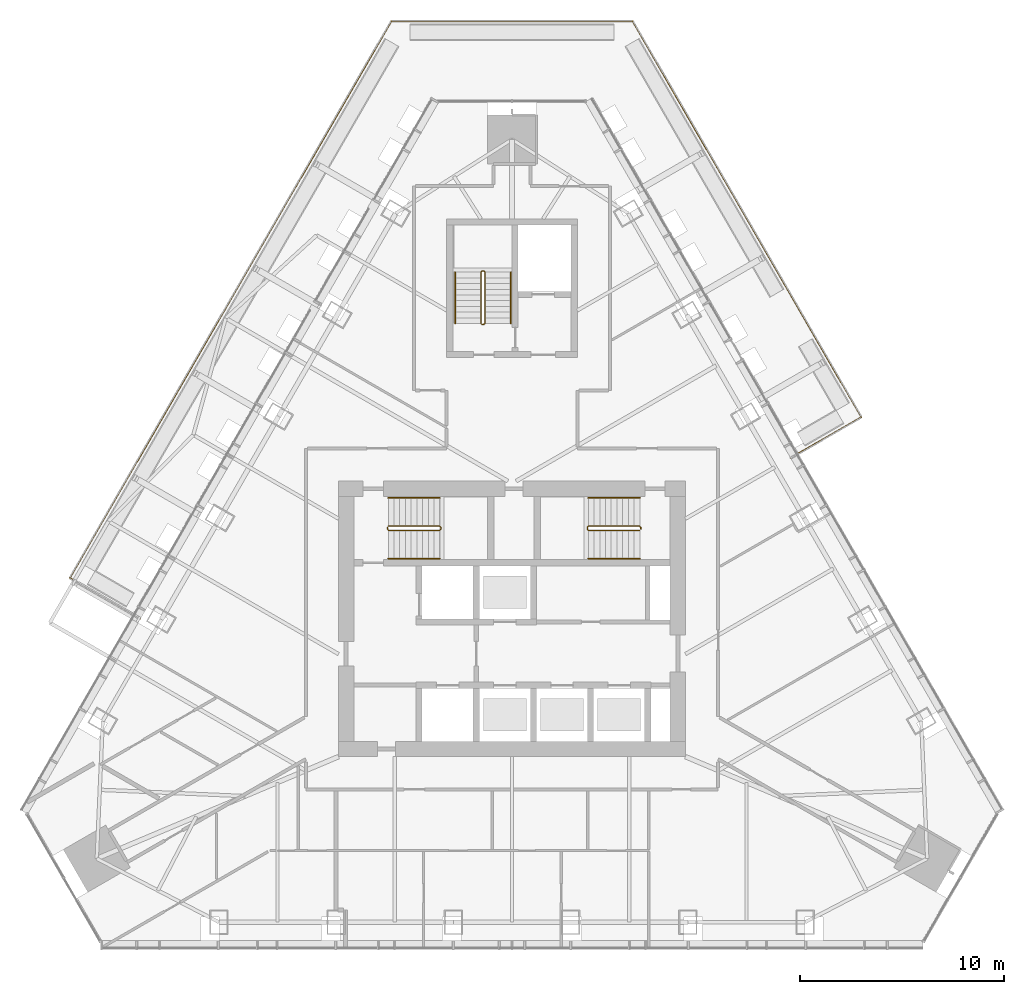
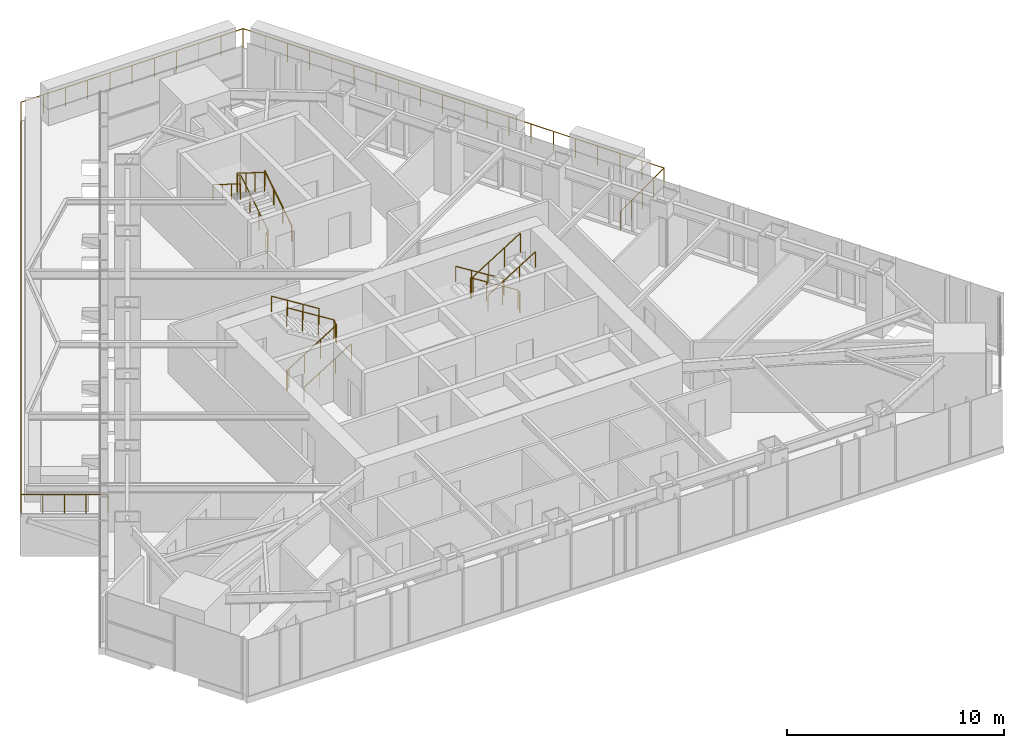
# One storey, part 14 of 16: 10 railings.
"""IFC4 building model written with IfcOpenShell, lengths in metres."""

from ifc_helpers import new_model, si_unit, direction, frame, origin, origin_2d, place, context, subcontext, project, spatial, circle, extrude, material, type_object, element, save


model = new_model("IFC4")

# Units and contexts
model_context = context("Model", 3, precision=1e-05, world=origin(), true_north=direction((0.0, 1.0)))
body_context = subcontext(model_context, "Body", "Model", "MODEL_VIEW")
ifc_project = project(units=[si_unit("LENGTHUNIT", "METRE"), si_unit("AREAUNIT", "SQUARE_METRE"), si_unit("VOLUMEUNIT", "CUBIC_METRE"), si_unit("PLANEANGLEUNIT", "RADIAN"), si_unit("MASSUNIT", "GRAM", prefix="KILO")], contexts=[model_context])

# Site, building, storey
site_placement = place(None, origin())
site = spatial("IfcSite", under=ifc_project, at=site_placement, CompositionType="ELEMENT")
building_placement = place(site_placement, origin())
building = spatial("IfcBuilding", under=site, at=building_placement, Name="Firuza Gate Tower and Library", CompositionType="ELEMENT")
storey_placement = place(building_placement, frame((0.0, 0.0, 319.60009765625)))
storey = spatial("IfcBuildingStorey", under=building, at=storey_placement, Name="L78", CompositionType="ELEMENT", Elevation=319.60009765625)

# Railings
ifc_material_1 = material(Name="Steel S355", Category="steel")
railing_type_1 = type_object("IfcRailingType", Name="Stair guard 1100", PredefinedType="GUARDRAIL", material=ifc_material_1)
railing_1_placement = place(storey_placement, frame((68.889892578125, 79.389892578125, 0.0)))
element("IfcRailing", 1, at=railing_1_placement, inside=storey, type_object=railing_type_1, Name="L78 ST1 stair guard 1", PredefinedType="GUARDRAIL", context=body_context, shape_type="SweptSolid", body=[
    extrude(circle(Radius=0.02392578125, at=origin_2d()), frame((0.0, 0.0, 1.076171875), z_axis=(0.0, 1.0, 0.0), x_axis=(-1.0, 0.0, 0.0)), (0.0, 0.0, 1.0), 0.10009765625),
    extrude(circle(Radius=0.02392578125, at=origin_2d()), frame((0.0, 0.10009765625, 1.076171875), z_axis=(0.212383695785, -0.636115069328, 0.741788908207), x_axis=(0.948528701346, 0.316691178788, 0.0)), (0.0, 0.0, 1.0), 0.235595703125),
    extrude(circle(Radius=0.02392578125, at=origin_2d()), frame((0.050048828125, -0.0498046875, 1.2509765625), z_axis=(0.847970611238, 0.0, 0.530043245855), x_axis=(0.0, 1.0, 0.0)), (0.0, 0.0, 1.0), 2.971923828125),
    extrude(circle(Radius=0.02392578125, at=origin_2d()), frame((2.570068359375, -0.0498046875, 2.826171875), z_axis=(0.708833529934, 0.705375805398, 0.0), x_axis=(-0.705375805398, 0.708833529934, 0.0)), (0.0, 0.0, 1.0), 0.070556640625),
    extrude(circle(Radius=0.02392578125, at=origin_2d()), frame((2.6201171875, 0.0, 2.826171875), z_axis=(0.0, 1.0, 0.0), x_axis=(-1.0, 0.0, 0.0)), (0.0, 0.0, 1.0), 0.10009765625),
    extrude(circle(Radius=0.02392578125, at=origin_2d()), frame((2.6201171875, 0.10009765625, 2.826171875), z_axis=(-0.265383341853, 0.265383341853, 0.926899867156), x_axis=(-0.707106781187, -0.707106781187, 0.0)), (0.0, 0.0, 1.0), 0.1884765625),
    extrude(circle(Radius=0.02392578125, at=origin_2d()), frame((2.570068359375, 0.150146484375, 3.0009765625), z_axis=(-0.847970611238, 0.0, 0.530043245855), x_axis=(0.0, -1.0, 0.0)), (0.0, 0.0, 1.0), 2.971923828125),
    extrude(circle(Radius=0.02099609375, at=origin_2d()), origin(), (0.0, 0.0, 1.0), 1.052001953125),
    extrude(circle(Radius=0.02099609375, at=origin_2d()), frame((0.0, 0.10009765625, 0.0)), (0.0, 0.0, 1.0), 1.052001953125),
    extrude(circle(Radius=0.02099609375, at=origin_2d()), frame((0.050048828125, -0.0498046875, 0.1748046875)), (0.0, 0.0, 1.0), 1.052001953125),
    extrude(circle(Radius=0.02099609375, at=origin_2d()), frame((0.89013671875, -0.0498046875, 0.699951171875)), (0.0, 0.0, 1.0), 1.052001953125),
    extrude(circle(Radius=0.02099609375, at=origin_2d()), frame((1.72998046875, -0.0498046875, 1.224853515625)), (0.0, 0.0, 1.0), 1.052001953125),
    extrude(circle(Radius=0.02099609375, at=origin_2d()), frame((2.570068359375, -0.0498046875, 1.75)), (0.0, 0.0, 1.0), 1.052001953125),
    extrude(circle(Radius=0.02099609375, at=origin_2d()), frame((2.6201171875, 0.0, 1.75)), (0.0, 0.0, 1.0), 1.052001953125),
    extrude(circle(Radius=0.02099609375, at=origin_2d()), frame((2.6201171875, 0.10009765625, 1.75)), (0.0, 0.0, 1.0), 1.052001953125),
    extrude(circle(Radius=0.02099609375, at=origin_2d()), frame((2.570068359375, 0.150146484375, 1.9248046875)), (0.0, 0.0, 1.0), 1.052001953125),
    extrude(circle(Radius=0.02099609375, at=origin_2d()), frame((1.72998046875, 0.150146484375, 2.449951171875)), (0.0, 0.0, 1.0), 1.052001953125),
    extrude(circle(Radius=0.02099609375, at=origin_2d()), frame((0.89013671875, 0.150146484375, 2.974853515625)), (0.0, 0.0, 1.0), 1.052001953125),
    extrude(circle(Radius=0.02099609375, at=origin_2d()), frame((0.050048828125, 0.150146484375, 3.5)), (0.0, 0.0, 1.0), 1.052001953125),
])
railing_2_placement = place(storey_placement, frame((81.31005859375, 79.489990234375, 0.0)))
element("IfcRailing", 2, at=railing_2_placement, inside=storey, type_object=railing_type_1, Name="L78 ST2 stair guard 1", PredefinedType="GUARDRAIL", context=body_context, shape_type="SweptSolid", body=[
    extrude(circle(Radius=0.02392578125, at=origin_2d()), frame((0.0, 0.0, 1.076171875), z_axis=(0.0, -1.0, 0.0), x_axis=(1.0, 0.0, 0.0)), (0.0, 0.0, 1.0), 0.10009765625),
    extrude(circle(Radius=0.02392578125, at=origin_2d()), frame((0.0, -0.10009765625, 1.076171875), z_axis=(-0.21224375372, 0.63673126116, 0.741300134944), x_axis=(-0.948683298051, -0.316227766017, 0.0)), (0.0, 0.0, 1.0), 0.23583984375),
    extrude(circle(Radius=0.02392578125, at=origin_2d()), frame((-0.050048828125, 0.050048828125, 1.2509765625), z_axis=(-0.847970611238, 0.0, 0.530043245855), x_axis=(0.0, -1.0, 0.0)), (0.0, 0.0, 1.0), 2.971923828125),
    extrude(circle(Radius=0.02392578125, at=origin_2d()), frame((-2.570068359375, 0.050048828125, 2.826171875), z_axis=(-0.707106781187, -0.707106781187, 0.0), x_axis=(0.707106781187, -0.707106781187, 0.0)), (0.0, 0.0, 1.0), 0.07080078125),
    extrude(circle(Radius=0.02392578125, at=origin_2d()), frame((-2.6201171875, 0.0, 2.826171875), z_axis=(0.0, -1.0, 0.0), x_axis=(1.0, 0.0, 0.0)), (0.0, 0.0, 1.0), 0.10009765625),
    extrude(circle(Radius=0.02392578125, at=origin_2d()), frame((-2.6201171875, -0.10009765625, 2.826171875), z_axis=(0.265474339444, -0.264179342666, 0.927217692888), x_axis=(0.705375805398, 0.708833529934, 0.0)), (0.0, 0.0, 1.0), 0.1884765625),
    extrude(circle(Radius=0.02392578125, at=origin_2d()), frame((-2.570068359375, -0.14990234375, 3.0009765625), z_axis=(0.847970611238, 0.0, 0.530043245855), x_axis=(0.0, 1.0, 0.0)), (0.0, 0.0, 1.0), 2.971923828125),
    extrude(circle(Radius=0.02099609375, at=origin_2d()), origin(), (0.0, 0.0, 1.0), 1.052001953125),
    extrude(circle(Radius=0.02099609375, at=origin_2d()), frame((0.0, -0.10009765625, 0.0)), (0.0, 0.0, 1.0), 1.052001953125),
    extrude(circle(Radius=0.02099609375, at=origin_2d()), frame((-0.050048828125, 0.050048828125, 0.1748046875)), (0.0, 0.0, 1.0), 1.052001953125),
    extrude(circle(Radius=0.02099609375, at=origin_2d()), frame((-0.89013671875, 0.050048828125, 0.699951171875)), (0.0, 0.0, 1.0), 1.052001953125),
    extrude(circle(Radius=0.02099609375, at=origin_2d()), frame((-1.72998046875, 0.050048828125, 1.224853515625)), (0.0, 0.0, 1.0), 1.052001953125),
    extrude(circle(Radius=0.02099609375, at=origin_2d()), frame((-2.570068359375, 0.050048828125, 1.75)), (0.0, 0.0, 1.0), 1.052001953125),
    extrude(circle(Radius=0.02099609375, at=origin_2d()), frame((-2.6201171875, 0.0, 1.75)), (0.0, 0.0, 1.0), 1.052001953125),
    extrude(circle(Radius=0.02099609375, at=origin_2d()), frame((-2.6201171875, -0.10009765625, 1.75)), (0.0, 0.0, 1.0), 1.052001953125),
    extrude(circle(Radius=0.02099609375, at=origin_2d()), frame((-2.570068359375, -0.14990234375, 1.9248046875)), (0.0, 0.0, 1.0), 1.052001953125),
    extrude(circle(Radius=0.02099609375, at=origin_2d()), frame((-1.72998046875, -0.14990234375, 2.449951171875)), (0.0, 0.0, 1.0), 1.052001953125),
    extrude(circle(Radius=0.02099609375, at=origin_2d()), frame((-0.89013671875, -0.14990234375, 2.974853515625)), (0.0, 0.0, 1.0), 1.052001953125),
    extrude(circle(Radius=0.02099609375, at=origin_2d()), frame((-0.050048828125, -0.14990234375, 3.5)), (0.0, 0.0, 1.0), 1.052001953125),
])
railing_3_placement = place(storey_placement, frame((73.6298828125, 89.419921875, 0.0)))
element("IfcRailing", 3, at=railing_3_placement, inside=storey, type_object=railing_type_1, Name="L78 ST3 stair guard 1", PredefinedType="GUARDRAIL", context=body_context, shape_type="SweptSolid", body=[
    extrude(circle(Radius=0.02392578125, at=origin_2d()), frame((0.0, 0.0, 1.076171875), z_axis=(-1.0, 0.0, 0.0), x_axis=(0.0, -1.0, 0.0)), (0.0, 0.0, 1.0), 0.099853515625),
    extrude(circle(Radius=0.02392578125, at=origin_2d()), frame((-0.099853515625, 0.0, 1.076171875), z_axis=(0.636115069328, 0.212383695785, 0.741788908207), x_axis=(-0.316691178788, 0.948528701346, 0.0)), (0.0, 0.0, 1.0), 0.235595703125),
    extrude(circle(Radius=0.02392578125, at=origin_2d()), frame((0.050048828125, 0.050048828125, 1.2509765625), z_axis=(0.0, 0.847970611238, 0.530043245855), x_axis=(-1.0, 0.0, 0.0)), (0.0, 0.0, 1.0), 2.971923828125),
    extrude(circle(Radius=0.02392578125, at=origin_2d()), frame((0.050048828125, 2.570068359375, 2.826171875), z_axis=(-0.707106781187, 0.707106781187, 0.0), x_axis=(-0.707106781187, -0.707106781187, 0.0)), (0.0, 0.0, 1.0), 0.07080078125),
    extrude(circle(Radius=0.02392578125, at=origin_2d()), frame((0.0, 2.6201171875, 2.826171875), z_axis=(-1.0, 0.0, 0.0), x_axis=(0.0, -1.0, 0.0)), (0.0, 0.0, 1.0), 0.099853515625),
    extrude(circle(Radius=0.02392578125, at=origin_2d()), frame((-0.099853515625, 2.6201171875, 2.826171875), z_axis=(-0.265383341853, -0.265383341853, 0.926899867156), x_axis=(0.707106781187, -0.707106781187, 0.0)), (0.0, 0.0, 1.0), 0.1884765625),
    extrude(circle(Radius=0.02392578125, at=origin_2d()), frame((-0.14990234375, 2.570068359375, 3.0009765625), z_axis=(0.0, -0.847970611238, 0.530043245855), x_axis=(1.0, 0.0, 0.0)), (0.0, 0.0, 1.0), 2.971923828125),
    extrude(circle(Radius=0.02099609375, at=origin_2d()), origin(), (0.0, 0.0, 1.0), 1.052001953125),
    extrude(circle(Radius=0.02099609375, at=origin_2d()), frame((-0.099853515625, 0.0, 0.0)), (0.0, 0.0, 1.0), 1.052001953125),
    extrude(circle(Radius=0.02099609375, at=origin_2d()), frame((0.050048828125, 0.050048828125, 0.1748046875)), (0.0, 0.0, 1.0), 1.052001953125),
    extrude(circle(Radius=0.02099609375, at=origin_2d()), frame((0.050048828125, 0.89013671875, 0.699951171875)), (0.0, 0.0, 1.0), 1.052001953125),
    extrude(circle(Radius=0.02099609375, at=origin_2d()), frame((0.050048828125, 1.72998046875, 1.224853515625)), (0.0, 0.0, 1.0), 1.052001953125),
    extrude(circle(Radius=0.02099609375, at=origin_2d()), frame((0.050048828125, 2.570068359375, 1.75)), (0.0, 0.0, 1.0), 1.052001953125),
    extrude(circle(Radius=0.02099609375, at=origin_2d()), frame((0.0, 2.6201171875, 1.75)), (0.0, 0.0, 1.0), 1.052001953125),
    extrude(circle(Radius=0.02099609375, at=origin_2d()), frame((-0.099853515625, 2.6201171875, 1.75)), (0.0, 0.0, 1.0), 1.052001953125),
    extrude(circle(Radius=0.02099609375, at=origin_2d()), frame((-0.14990234375, 2.570068359375, 1.9248046875)), (0.0, 0.0, 1.0), 1.052001953125),
    extrude(circle(Radius=0.02099609375, at=origin_2d()), frame((-0.14990234375, 1.72998046875, 2.449951171875)), (0.0, 0.0, 1.0), 1.052001953125),
    extrude(circle(Radius=0.02099609375, at=origin_2d()), frame((-0.14990234375, 0.89013671875, 2.974853515625)), (0.0, 0.0, 1.0), 1.052001953125),
    extrude(circle(Radius=0.02099609375, at=origin_2d()), frame((-0.14990234375, 0.050048828125, 3.5)), (0.0, 0.0, 1.0), 1.052001953125),
])
ifc_material_2 = material(Name="Steel S355", Category="steel")
railing_type_2 = type_object("IfcRailingType", Name="Stair handrail 900", PredefinedType="HANDRAIL", material=ifc_material_2)
railing_4_placement = place(storey_placement, frame((68.93994140625, 77.949951171875, 0.1748046875)))
element("IfcRailing", 4, at=railing_4_placement, inside=storey, type_object=railing_type_2, Name="L78 ST1 stair handrail 1", PredefinedType="HANDRAIL", context=body_context, shape_type="SweptSolid", body=[
    extrude(circle(Radius=0.02392578125, at=origin_2d()), frame((0.0, 0.0, 0.8759765625), z_axis=(0.847970611238, 0.0, 0.530043245855), x_axis=(0.0, 1.0, 0.0)), (0.0, 0.0, 1.0), 2.971923828125),
    extrude(circle(Radius=0.02099609375, at=origin_2d()), origin(), (0.0, 0.0, 1.0), 0.851806640625),
    extrude(circle(Radius=0.02099609375, at=origin_2d()), frame((0.840087890625, 0.0, 0.525146484375)), (0.0, 0.0, 1.0), 0.851806640625),
    extrude(circle(Radius=0.02099609375, at=origin_2d()), frame((1.679931640625, 0.0, 1.050048828125)), (0.0, 0.0, 1.0), 0.851806640625),
    extrude(circle(Radius=0.02099609375, at=origin_2d()), frame((2.52001953125, 0.0, 1.5751953125)), (0.0, 0.0, 1.0), 0.851806640625),
])
for number, where, name in (
    (5, (71.4599609375, 80.929931640625, 1.9248046875), "L78 ST1 stair handrail 2"),
    (6, (81.260009765625, 80.929931640625, 0.1748046875), "L78 ST2 stair handrail 1"),
):
    element("IfcRailing", number, at=place(storey_placement, frame(where)), inside=storey, type_object=railing_type_2, Name=name, PredefinedType="HANDRAIL", context=body_context, shape_type="SweptSolid", body=[
        extrude(circle(Radius=0.02392578125, at=origin_2d()), frame((0.0, 0.0, 0.8759765625), z_axis=(-0.847970611238, 0.0, 0.530043245855), x_axis=(0.0, -1.0, 0.0)), (0.0, 0.0, 1.0), 2.971923828125),
        extrude(circle(Radius=0.02099609375, at=origin_2d()), origin(), (0.0, 0.0, 1.0), 0.851806640625),
        extrude(circle(Radius=0.02099609375, at=origin_2d()), frame((-0.840087890625, 0.0, 0.525146484375)), (0.0, 0.0, 1.0), 0.851806640625),
        extrude(circle(Radius=0.02099609375, at=origin_2d()), frame((-1.679931640625, 0.0, 1.050048828125)), (0.0, 0.0, 1.0), 0.851806640625),
        extrude(circle(Radius=0.02099609375, at=origin_2d()), frame((-2.52001953125, 0.0, 1.5751953125)), (0.0, 0.0, 1.0), 0.851806640625),
    ])
railing_5_placement = place(storey_placement, frame((78.739990234375, 77.949951171875, 1.9248046875)))
element("IfcRailing", 7, at=railing_5_placement, inside=storey, type_object=railing_type_2, Name="L78 ST2 stair handrail 2", PredefinedType="HANDRAIL", context=body_context, shape_type="SweptSolid", body=[
    extrude(circle(Radius=0.02392578125, at=origin_2d()), frame((0.0, 0.0, 0.8759765625), z_axis=(0.847970611238, 0.0, 0.530043245855), x_axis=(0.0, 1.0, 0.0)), (0.0, 0.0, 1.0), 2.971923828125),
    extrude(circle(Radius=0.02099609375, at=origin_2d()), origin(), (0.0, 0.0, 1.0), 0.851806640625),
    extrude(circle(Radius=0.02099609375, at=origin_2d()), frame((0.840087890625, 0.0, 0.525146484375)), (0.0, 0.0, 1.0), 0.851806640625),
    extrude(circle(Radius=0.02099609375, at=origin_2d()), frame((1.679931640625, 0.0, 1.050048828125)), (0.0, 0.0, 1.0), 0.851806640625),
    extrude(circle(Radius=0.02099609375, at=origin_2d()), frame((2.52001953125, 0.0, 1.5751953125)), (0.0, 0.0, 1.0), 0.851806640625),
])
railing_6_placement = place(storey_placement, frame((74.949951171875, 89.469970703125, 0.1748046875)))
element("IfcRailing", 8, at=railing_6_placement, inside=storey, type_object=railing_type_2, Name="L78 ST3 stair handrail 1", PredefinedType="HANDRAIL", context=body_context, shape_type="SweptSolid", body=[
    extrude(circle(Radius=0.02392578125, at=origin_2d()), frame((0.0, 0.0, 0.8759765625), z_axis=(0.0, 0.847970611238, 0.530043245855), x_axis=(-1.0, 0.0, 0.0)), (0.0, 0.0, 1.0), 2.971923828125),
    extrude(circle(Radius=0.02099609375, at=origin_2d()), origin(), (0.0, 0.0, 1.0), 0.851806640625),
    extrude(circle(Radius=0.02099609375, at=origin_2d()), frame((0.0, 0.840087890625, 0.525146484375)), (0.0, 0.0, 1.0), 0.851806640625),
    extrude(circle(Radius=0.02099609375, at=origin_2d()), frame((0.0, 1.679931640625, 1.050048828125)), (0.0, 0.0, 1.0), 0.851806640625),
    extrude(circle(Radius=0.02099609375, at=origin_2d()), frame((0.0, 2.52001953125, 1.5751953125)), (0.0, 0.0, 1.0), 0.851806640625),
])
railing_7_placement = place(storey_placement, frame((72.2099609375, 91.989990234375, 1.9248046875)))
element("IfcRailing", 9, at=railing_7_placement, inside=storey, type_object=railing_type_2, Name="L78 ST3 stair handrail 2", PredefinedType="HANDRAIL", context=body_context, shape_type="SweptSolid", body=[
    extrude(circle(Radius=0.02392578125, at=origin_2d()), frame((0.0, 0.0, 0.8759765625), z_axis=(0.0, -0.847970611238, 0.530043245855), x_axis=(1.0, 0.0, 0.0)), (0.0, 0.0, 1.0), 2.971923828125),
    extrude(circle(Radius=0.02099609375, at=origin_2d()), origin(), (0.0, 0.0, 1.0), 0.851806640625),
    extrude(circle(Radius=0.02099609375, at=origin_2d()), frame((0.0, -0.840087890625, 0.525146484375)), (0.0, 0.0, 1.0), 0.851806640625),
    extrude(circle(Radius=0.02099609375, at=origin_2d()), frame((0.0, -1.679931640625, 1.050048828125)), (0.0, 0.0, 1.0), 0.851806640625),
    extrude(circle(Radius=0.02099609375, at=origin_2d()), frame((0.0, -2.52001953125, 1.5751953125)), (0.0, 0.0, 1.0), 0.851806640625),
])
ifc_material_3 = material(Name="Steel S355", Category="steel")
railing_type_3 = type_object("IfcRailingType", Name="Terrace guard 1100", PredefinedType="GUARDRAIL", material=ifc_material_3)
railing_8_placement = place(storey_placement, frame((88.652099609375, 82.882080078125, 0.0)))
element("IfcRailing", 10, at=railing_8_placement, inside=storey, type_object=railing_type_3, Name="Tray guard L78", PredefinedType="GUARDRAIL", context=body_context, shape_type="SweptSolid", body=[
    extrude(circle(Radius=0.02392578125, at=origin_2d()), frame((0.0, 0.0, 1.076171875), z_axis=(0.866026010844, 0.49999894854, 0.0), x_axis=(-0.49999894854, 0.866026010844, 0.0)), (0.0, 0.0, 1.0), 4.0),
    extrude(circle(Radius=0.02392578125, at=origin_2d()), frame((3.464111328125, 2.0, 1.076171875), z_axis=(-0.500006264755, 0.866021786796, 0.0), x_axis=(-0.866021786796, -0.500006264755, 0.0)), (0.0, 0.0, 1.0), 22.413330078125),
    extrude(circle(Radius=0.02392578125, at=origin_2d()), frame((-7.74267578125, 21.410400390625, 1.076171875), z_axis=(-1.0, 0.0, 0.0), x_axis=(0.0, -1.0, 0.0)), (0.0, 0.0, 1.0), 11.81884765625),
    extrude(circle(Radius=0.02392578125, at=origin_2d()), frame((-19.5615234375, 21.410400390625, 1.076171875), z_axis=(-0.500000077899, -0.86602535881, 0.0), x_axis=(0.86602535881, -0.500000077899, 0.0)), (0.0, 0.0, 1.0), 31.5146484375),
    extrude(circle(Radius=0.02392578125, at=origin_2d()), frame((-35.31884765625, -5.882080078125, 1.076171875), z_axis=(0.866026010844, -0.49999894854, 0.0), x_axis=(0.49999894854, 0.866026010844, 0.0)), (0.0, 0.0, 1.0), 4.0),
    extrude(circle(Radius=0.02099609375, at=origin_2d()), origin(), (0.0, 0.0, 1.0), 1.052001953125),
    extrude(circle(Radius=0.02099609375, at=origin_2d()), frame((0.865966796875, 0.5, 0.0)), (0.0, 0.0, 1.0), 1.052001953125),
    extrude(circle(Radius=0.02099609375, at=origin_2d()), frame((1.73193359375, 1.0, 0.0)), (0.0, 0.0, 1.0), 1.052001953125),
    extrude(circle(Radius=0.02099609375, at=origin_2d()), frame((2.59814453125, 1.5, 0.0)), (0.0, 0.0, 1.0), 1.052001953125),
    extrude(circle(Radius=0.02099609375, at=origin_2d()), frame((3.464111328125, 2.0, 0.0)), (0.0, 0.0, 1.0), 1.052001953125),
    extrude(circle(Radius=0.02099609375, at=origin_2d()), frame((2.874267578125, 3.021484375, 0.0)), (0.0, 0.0, 1.0), 1.052001953125),
    extrude(circle(Radius=0.02099609375, at=origin_2d()), frame((2.284423828125, 4.043212890625, 0.0)), (0.0, 0.0, 1.0), 1.052001953125),
    extrude(circle(Radius=0.02099609375, at=origin_2d()), frame((1.694580078125, 5.064697265625, 0.0)), (0.0, 0.0, 1.0), 1.052001953125),
    extrude(circle(Radius=0.02099609375, at=origin_2d()), frame((1.104736328125, 6.08642578125, 0.0)), (0.0, 0.0, 1.0), 1.052001953125),
    extrude(circle(Radius=0.02099609375, at=origin_2d()), frame((0.514892578125, 7.10791015625, 0.0)), (0.0, 0.0, 1.0), 1.052001953125),
    extrude(circle(Radius=0.02099609375, at=origin_2d()), frame((-0.074951171875, 8.129638671875, 0.0)), (0.0, 0.0, 1.0), 1.052001953125),
    extrude(circle(Radius=0.02099609375, at=origin_2d()), frame((-0.664794921875, 9.151123046875, 0.0)), (0.0, 0.0, 1.0), 1.052001953125),
    extrude(circle(Radius=0.02099609375, at=origin_2d()), frame((-1.254638671875, 10.1728515625, 0.0)), (0.0, 0.0, 1.0), 1.052001953125),
    extrude(circle(Radius=0.02099609375, at=origin_2d()), frame((-1.844482421875, 11.1943359375, 0.0)), (0.0, 0.0, 1.0), 1.052001953125),
    extrude(circle(Radius=0.02099609375, at=origin_2d()), frame((-2.43408203125, 12.216064453125, 0.0)), (0.0, 0.0, 1.0), 1.052001953125),
    extrude(circle(Radius=0.02099609375, at=origin_2d()), frame((-3.02392578125, 13.237548828125, 0.0)), (0.0, 0.0, 1.0), 1.052001953125),
    extrude(circle(Radius=0.02099609375, at=origin_2d()), frame((-3.61376953125, 14.25927734375, 0.0)), (0.0, 0.0, 1.0), 1.052001953125),
    extrude(circle(Radius=0.02099609375, at=origin_2d()), frame((-4.20361328125, 15.28076171875, 0.0)), (0.0, 0.0, 1.0), 1.052001953125),
    extrude(circle(Radius=0.02099609375, at=origin_2d()), frame((-4.79345703125, 16.302490234375, 0.0)), (0.0, 0.0, 1.0), 1.052001953125),
    extrude(circle(Radius=0.02099609375, at=origin_2d()), frame((-5.38330078125, 17.323974609375, 0.0)), (0.0, 0.0, 1.0), 1.052001953125),
    extrude(circle(Radius=0.02099609375, at=origin_2d()), frame((-5.97314453125, 18.345703125, 0.0)), (0.0, 0.0, 1.0), 1.052001953125),
    extrude(circle(Radius=0.02099609375, at=origin_2d()), frame((-6.56298828125, 19.3671875, 0.0)), (0.0, 0.0, 1.0), 1.052001953125),
    extrude(circle(Radius=0.02099609375, at=origin_2d()), frame((-7.15283203125, 20.388916015625, 0.0)), (0.0, 0.0, 1.0), 1.052001953125),
    extrude(circle(Radius=0.02099609375, at=origin_2d()), frame((-7.74267578125, 21.410400390625, 0.0)), (0.0, 0.0, 1.0), 1.052001953125),
    extrude(circle(Radius=0.02099609375, at=origin_2d()), frame((-8.924560546875, 21.410400390625, 0.0)), (0.0, 0.0, 1.0), 1.052001953125),
    extrude(circle(Radius=0.02099609375, at=origin_2d()), frame((-10.1064453125, 21.410400390625, 0.0)), (0.0, 0.0, 1.0), 1.052001953125),
    extrude(circle(Radius=0.02099609375, at=origin_2d()), frame((-11.288330078125, 21.410400390625, 0.0)), (0.0, 0.0, 1.0), 1.052001953125),
    extrude(circle(Radius=0.02099609375, at=origin_2d()), frame((-12.47021484375, 21.410400390625, 0.0)), (0.0, 0.0, 1.0), 1.052001953125),
    extrude(circle(Radius=0.02099609375, at=origin_2d()), frame((-13.652099609375, 21.410400390625, 0.0)), (0.0, 0.0, 1.0), 1.052001953125),
    extrude(circle(Radius=0.02099609375, at=origin_2d()), frame((-14.833984375, 21.410400390625, 0.0)), (0.0, 0.0, 1.0), 1.052001953125),
    extrude(circle(Radius=0.02099609375, at=origin_2d()), frame((-16.015869140625, 21.410400390625, 0.0)), (0.0, 0.0, 1.0), 1.052001953125),
    extrude(circle(Radius=0.02099609375, at=origin_2d()), frame((-17.19775390625, 21.410400390625, 0.0)), (0.0, 0.0, 1.0), 1.052001953125),
    extrude(circle(Radius=0.02099609375, at=origin_2d()), frame((-18.379638671875, 21.410400390625, 0.0)), (0.0, 0.0, 1.0), 1.052001953125),
    extrude(circle(Radius=0.02099609375, at=origin_2d()), frame((-19.5615234375, 21.410400390625, 0.0)), (0.0, 0.0, 1.0), 1.052001953125),
    extrude(circle(Radius=0.02099609375, at=origin_2d()), frame((-20.14501953125, 20.399658203125, 0.0)), (0.0, 0.0, 1.0), 1.052001953125),
    extrude(circle(Radius=0.02099609375, at=origin_2d()), frame((-20.728759765625, 19.388671875, 0.0)), (0.0, 0.0, 1.0), 1.052001953125),
    extrude(circle(Radius=0.02099609375, at=origin_2d()), frame((-21.312255859375, 18.3779296875, 0.0)), (0.0, 0.0, 1.0), 1.052001953125),
    extrude(circle(Radius=0.02099609375, at=origin_2d()), frame((-21.89599609375, 17.3671875, 0.0)), (0.0, 0.0, 1.0), 1.052001953125),
    extrude(circle(Radius=0.02099609375, at=origin_2d()), frame((-22.4794921875, 16.356201171875, 0.0)), (0.0, 0.0, 1.0), 1.052001953125),
    extrude(circle(Radius=0.02099609375, at=origin_2d()), frame((-23.063232421875, 15.345458984375, 0.0)), (0.0, 0.0, 1.0), 1.052001953125),
    extrude(circle(Radius=0.02099609375, at=origin_2d()), frame((-23.646728515625, 14.33447265625, 0.0)), (0.0, 0.0, 1.0), 1.052001953125),
    extrude(circle(Radius=0.02099609375, at=origin_2d()), frame((-24.23046875, 13.32373046875, 0.0)), (0.0, 0.0, 1.0), 1.052001953125),
    extrude(circle(Radius=0.02099609375, at=origin_2d()), frame((-24.81396484375, 12.31298828125, 0.0)), (0.0, 0.0, 1.0), 1.052001953125),
    extrude(circle(Radius=0.02099609375, at=origin_2d()), frame((-25.3974609375, 11.302001953125, 0.0)), (0.0, 0.0, 1.0), 1.052001953125),
    extrude(circle(Radius=0.02099609375, at=origin_2d()), frame((-25.981201171875, 10.291259765625, 0.0)), (0.0, 0.0, 1.0), 1.052001953125),
    extrude(circle(Radius=0.02099609375, at=origin_2d()), frame((-26.564697265625, 9.280517578125, 0.0)), (0.0, 0.0, 1.0), 1.052001953125),
    extrude(circle(Radius=0.02099609375, at=origin_2d()), frame((-27.1484375, 8.26953125, 0.0)), (0.0, 0.0, 1.0), 1.052001953125),
    extrude(circle(Radius=0.02099609375, at=origin_2d()), frame((-27.73193359375, 7.2587890625, 0.0)), (0.0, 0.0, 1.0), 1.052001953125),
    extrude(circle(Radius=0.02099609375, at=origin_2d()), frame((-28.315673828125, 6.247802734375, 0.0)), (0.0, 0.0, 1.0), 1.052001953125),
    extrude(circle(Radius=0.02099609375, at=origin_2d()), frame((-28.899169921875, 5.237060546875, 0.0)), (0.0, 0.0, 1.0), 1.052001953125),
    extrude(circle(Radius=0.02099609375, at=origin_2d()), frame((-29.48291015625, 4.226318359375, 0.0)), (0.0, 0.0, 1.0), 1.052001953125),
    extrude(circle(Radius=0.02099609375, at=origin_2d()), frame((-30.06640625, 3.21533203125, 0.0)), (0.0, 0.0, 1.0), 1.052001953125),
    extrude(circle(Radius=0.02099609375, at=origin_2d()), frame((-30.64990234375, 2.20458984375, 0.0)), (0.0, 0.0, 1.0), 1.052001953125),
    extrude(circle(Radius=0.02099609375, at=origin_2d()), frame((-31.233642578125, 1.19384765625, 0.0)), (0.0, 0.0, 1.0), 1.052001953125),
    extrude(circle(Radius=0.02099609375, at=origin_2d()), frame((-31.817138671875, 0.182861328125, 0.0)), (0.0, 0.0, 1.0), 1.052001953125),
    extrude(circle(Radius=0.02099609375, at=origin_2d()), frame((-32.40087890625, -0.827880859375, 0.0)), (0.0, 0.0, 1.0), 1.052001953125),
    extrude(circle(Radius=0.02099609375, at=origin_2d()), frame((-32.984375, -1.8388671875, 0.0)), (0.0, 0.0, 1.0), 1.052001953125),
    extrude(circle(Radius=0.02099609375, at=origin_2d()), frame((-33.568115234375, -2.849609375, 0.0)), (0.0, 0.0, 1.0), 1.052001953125),
    extrude(circle(Radius=0.02099609375, at=origin_2d()), frame((-34.151611328125, -3.8603515625, 0.0)), (0.0, 0.0, 1.0), 1.052001953125),
    extrude(circle(Radius=0.02099609375, at=origin_2d()), frame((-34.7353515625, -4.871337890625, 0.0)), (0.0, 0.0, 1.0), 1.052001953125),
    extrude(circle(Radius=0.02099609375, at=origin_2d()), frame((-35.31884765625, -5.882080078125, 0.0)), (0.0, 0.0, 1.0), 1.052001953125),
    extrude(circle(Radius=0.02099609375, at=origin_2d()), frame((-34.452880859375, -6.382080078125, 0.0)), (0.0, 0.0, 1.0), 1.052001953125),
    extrude(circle(Radius=0.02099609375, at=origin_2d()), frame((-33.5869140625, -6.882080078125, 0.0)), (0.0, 0.0, 1.0), 1.052001953125),
    extrude(circle(Radius=0.02099609375, at=origin_2d()), frame((-32.720703125, -7.382080078125, 0.0)), (0.0, 0.0, 1.0), 1.052001953125),
    extrude(circle(Radius=0.02099609375, at=origin_2d()), frame((-31.854736328125, -7.882080078125, 0.0)), (0.0, 0.0, 1.0), 1.052001953125),
])

save(model, "model.ifc")
